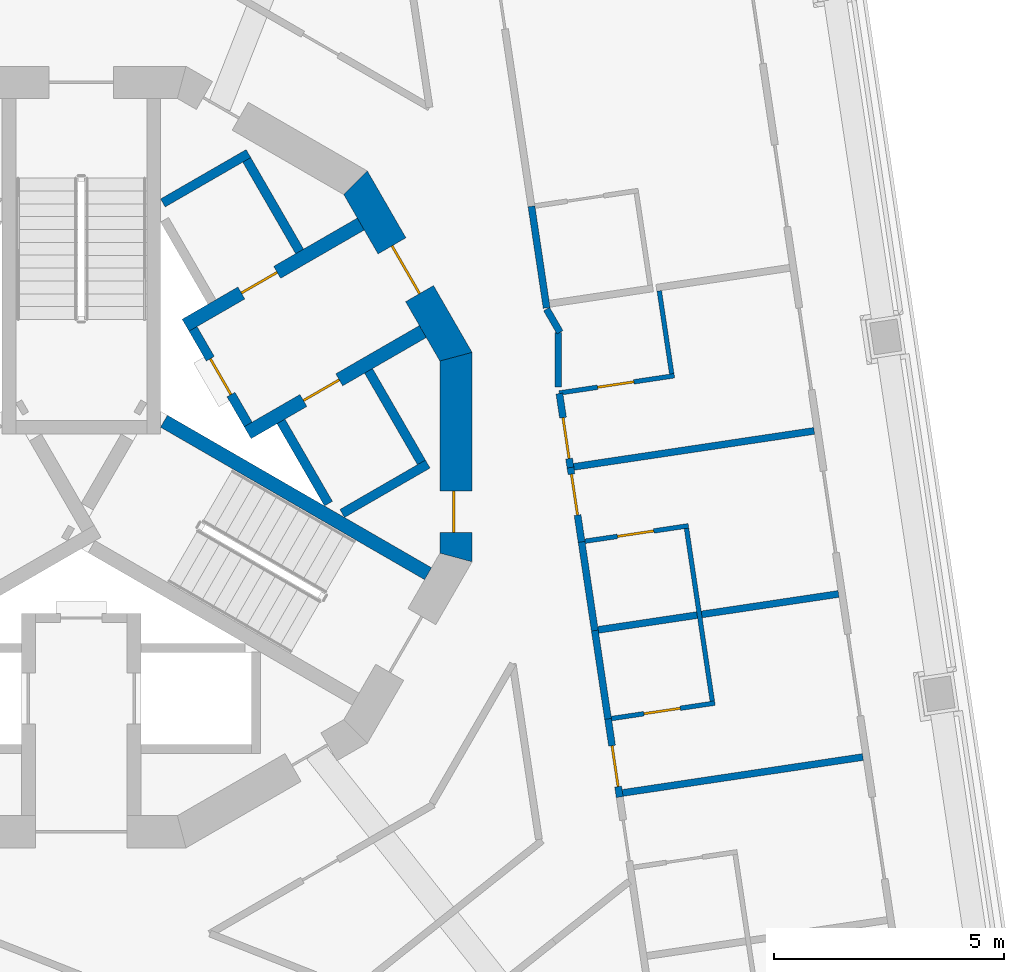
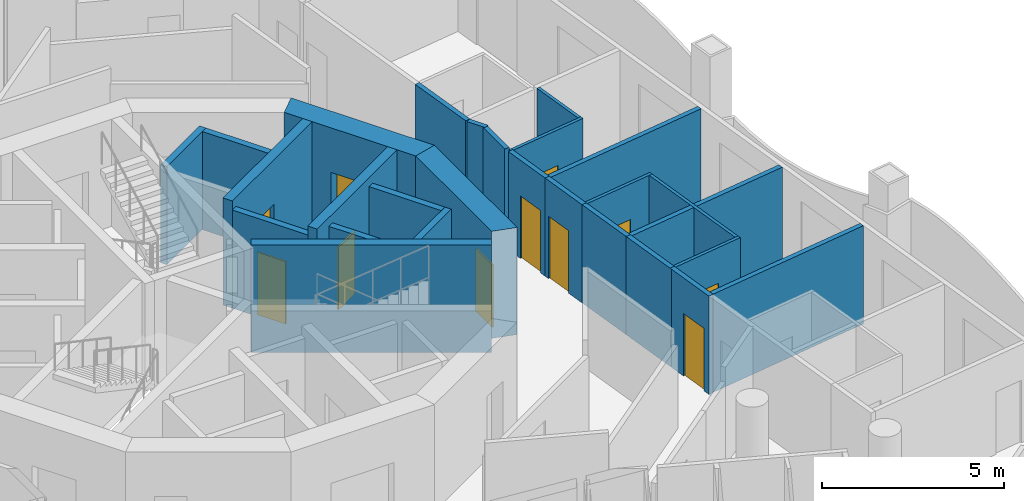
# One storey, part 6 of 16: 27 walls, 11 doors, 11 openings.
"""IFC4 building model written with IfcOpenShell, lengths in metres."""

from ifc_helpers import new_model, si_unit, direction, frame, frame_2d, origin, place, context, subcontext, project, spatial, polyline, rectangle, outline, extrude, material, layer, layer_set, type_object, element, fill, save


model = new_model("IFC4")

# Units and contexts
model_context = context("Model", 3, precision=1e-05, world=origin(), true_north=direction((0.0, 1.0)))
body_context = subcontext(model_context, "Body", "Model", "MODEL_VIEW")
ifc_project = project(units=[si_unit("LENGTHUNIT", "METRE"), si_unit("AREAUNIT", "SQUARE_METRE"), si_unit("VOLUMEUNIT", "CUBIC_METRE"), si_unit("PLANEANGLEUNIT", "RADIAN"), si_unit("MASSUNIT", "GRAM", prefix="KILO")], contexts=[model_context])

# Site, building, storey
site_placement = place(None, origin())
site = spatial("IfcSite", under=ifc_project, at=site_placement, CompositionType="ELEMENT")
building_placement = place(site_placement, origin())
building = spatial("IfcBuilding", under=site, at=building_placement, Name="Trine Commons Tower", CompositionType="ELEMENT")
storey_placement = place(building_placement, frame((0.0, 0.0, 223.199951171875)))
storey = spatial("IfcBuildingStorey", under=building, at=storey_placement, Name="L58", CompositionType="ELEMENT", Elevation=223.199951171875)

# Wall, opening, door
ifc_material_1 = material(Name="Fire-rated gypsum shaft wall system")
ifc_layer_1 = layer(ifc_material_1, 0.199951171875)
ifc_layer_set_1 = layer_set([ifc_layer_1], Name="Fire-rated gypsum shaft wall system")
wall_type_1 = type_object("IfcWallType", Name="Lobby end wall 200 mm, EI 120", PredefinedType="PARTITIONING", material=ifc_layer_set_1)
wall_1_placement = place(storey_placement, frame((83.631103515625, 63.2109375, 0.0), z_axis=(0.0, 0.0, 1.0), x_axis=(-0.50012165622, 0.865955154139, 0.0)))
wall_1 = element("IfcWall", 1, at=wall_1_placement, inside=storey, type_object=wall_type_1, Name="Lobby end wall L58", PredefinedType="PARTITIONING", context=body_context, shape_type="SweptSolid", body=[
    extrude(rectangle(XDim=2.39990234375, YDim=0.199951171875, at=frame_2d((1.199951171875, 0.0))), origin(), (0.0, 0.0, 1.0), 3.300048828125),
])
opening_1_placement = place(wall_1_placement, frame((0.749755859375, 0.0, 0.0)))
opening_1 = element("IfcOpeningElement", 2, at=opening_1_placement, cuts=wall_1, Name="Opening K16.05", PredefinedType="OPENING", context=body_context, shape_type="SweptSolid", body=[
    extrude(rectangle(XDim=0.89990234375, YDim=2.10009765625, at=frame_2d((0.449951171875, 1.050048828125))), frame((0.0, 0.10986328125, 0.0), z_axis=(0.0, -1.0, 0.0), x_axis=(1.0, 0.0, 0.0)), (0.0, 0.0, 1.0), 0.219970703125),
])
ifc_material_2 = material(Name="Steel door leaf, fire-rated", Category="steel")
door_type_1 = type_object("IfcDoorType", Name="Riser access door, single leaf 900 x 2100, FD60", OperationType="SINGLE_SWING_LEFT", PredefinedType="DOOR", material=ifc_material_2)
door_1_placement = place(opening_1_placement, frame((0.89990234375, 0.0, 0.0), z_axis=(0.0, 0.0, 1.0), x_axis=(-1.0, 0.0, 0.0)))
door_1 = element("IfcDoor", 3, at=door_1_placement, inside=storey, type_object=door_type_1, Name="Riser door, Electrical riser L58", OperationType="SINGLE_SWING_LEFT", OverallHeight=2.10009765625, OverallWidth=0.89990234375, PredefinedType="DOOR", context=body_context, shape_type="SweptSolid", body=[
    extrude(rectangle(XDim=0.89990234375, YDim=2.10009765625, at=frame_2d((0.449951171875, 1.050048828125))), frame((0.0, 0.02490234375, 0.0), z_axis=(0.0, -1.0, 0.0), x_axis=(1.0, 0.0, 0.0)), (0.0, 0.0, 1.0), 0.050048828125),
])
fill(opening_1, door_1)

ifc_material_3 = material(Name="Concrete C60/75", Category="concrete")
ifc_layer_2 = layer(ifc_material_3, 0.300048828125)
ifc_layer_set_2 = layer_set([ifc_layer_2], Name="Concrete C60/75")
wall_type_2 = type_object("IfcWallType", Name="RC shear wall 300 mm, C60/75", PredefinedType="SHEAR", material=ifc_layer_set_2)
wall_2_placement = place(storey_placement, frame((82.26904296875, 65.368896484375, 0.0), z_axis=(0.0, 0.0, 1.0), x_axis=(0.866035918664, 0.499981787252, 0.0)))
wall_2 = element("IfcWall", 4, at=wall_2_placement, inside=storey, type_object=wall_type_2, Name="Core cross wall SWC-05 L58", PredefinedType="SHEAR", context=body_context, shape_type="SweptSolid", body=[
    extrude(rectangle(XDim=4.400634765625, YDim=0.300048828125, at=frame_2d((2.2001953125, 0.0))), origin(), (0.0, 0.0, 1.0), 3.60009765625),
])
opening_2_placement = place(wall_2_placement, frame((1.400390625, 0.0, 0.0)))
opening_2 = element("IfcOpeningElement", 5, at=opening_2_placement, cuts=wall_2, Name="Opening K16.10", PredefinedType="OPENING", context=body_context, shape_type="SweptSolid", body=[
    extrude(rectangle(XDim=0.89990234375, YDim=2.10009765625, at=frame_2d((0.449951171875, 1.050048828125))), frame((0.0, 0.159912109375, 0.0), z_axis=(0.0, -1.0, 0.0), x_axis=(1.0, 0.0, 0.0)), (0.0, 0.0, 1.0), 0.320068359375),
])
door_type_2 = type_object("IfcDoorType", Name="Core room door, single leaf 900 x 2100, FD30S", OperationType="SINGLE_SWING_LEFT", PredefinedType="DOOR", material=ifc_material_2)
door_2_placement = place(opening_2_placement, origin())
door_2 = element("IfcDoor", 6, at=door_2_placement, inside=storey, type_object=door_type_2, Name="Door to Pantry L58", OperationType="SINGLE_SWING_LEFT", OverallHeight=2.10009765625, OverallWidth=0.89990234375, PredefinedType="DOOR", context=body_context, shape_type="SweptSolid", body=[
    extrude(rectangle(XDim=0.89990234375, YDim=2.10009765625, at=frame_2d((0.449951171875, 1.050048828125))), frame((0.0, 0.02490234375, 0.0), z_axis=(0.0, -1.0, 0.0), x_axis=(1.0, 0.0, 0.0)), (0.0, 0.0, 1.0), 0.050048828125),
])
fill(opening_2, door_2)

wall_3_placement = place(storey_placement, frame((83.618896484375, 63.031005859375, 0.0), z_axis=(0.0, 0.0, 1.0), x_axis=(0.866059941101, 0.499940174841, 0.0)))
wall_3 = element("IfcWall", 7, at=wall_3_placement, inside=storey, type_object=wall_type_2, Name="Core cross wall SWC-06 L58", PredefinedType="SHEAR", context=body_context, shape_type="SweptSolid", body=[
    extrude(rectangle(XDim=4.400390625, YDim=0.300048828125, at=frame_2d((2.2001953125, 0.0))), origin(), (0.0, 0.0, 1.0), 3.60009765625),
])
opening_3_placement = place(wall_3_placement, frame((1.400390625, 0.0, 0.0)))
opening_3 = element("IfcOpeningElement", 8, at=opening_3_placement, cuts=wall_3, Name="Opening K16.11", PredefinedType="OPENING", context=body_context, shape_type="SweptSolid", body=[
    extrude(rectangle(XDim=0.89990234375, YDim=2.10009765625, at=frame_2d((0.449951171875, 1.050048828125))), frame((0.0, 0.159912109375, 0.0), z_axis=(0.0, -1.0, 0.0), x_axis=(1.0, 0.0, 0.0)), (0.0, 0.0, 1.0), 0.320068359375),
])
door_3_placement = place(opening_3_placement, frame((0.89990234375, 0.0, 0.0), z_axis=(0.0, 0.0, 1.0), x_axis=(-1.0, 0.0, 0.0)))
door_3 = element("IfcDoor", 9, at=door_3_placement, inside=storey, type_object=door_type_2, Name="Door to Comms room L58", OperationType="SINGLE_SWING_LEFT", OverallHeight=2.10009765625, OverallWidth=0.89990234375, PredefinedType="DOOR", context=body_context, shape_type="SweptSolid", body=[
    extrude(rectangle(XDim=0.89990234375, YDim=2.10009765625, at=frame_2d((0.449951171875, 1.050048828125))), frame((0.0, 0.02490234375, 0.0), z_axis=(0.0, -1.0, 0.0), x_axis=(1.0, 0.0, 0.0)), (0.0, 0.0, 1.0), 0.050048828125),
])
fill(opening_3, door_3)

# Wall
wall_4_placement = place(storey_placement, frame((81.800048828125, 63.280029296875, 0.0), z_axis=(0.0, 0.0, 1.0), x_axis=(0.866009627307, -0.500027324665, 0.0)))
element("IfcWall", 10, at=wall_4_placement, inside=storey, type_object=wall_type_2, Name="Core cross wall SWC-18 L58", PredefinedType="SHEAR", context=body_context, shape_type="SweptSolid", body=[
    extrude(rectangle(XDim=6.631591796875, YDim=0.300048828125, at=frame_2d((3.31591796875, 0.0))), origin(), (0.0, 0.0, 1.0), 3.60009765625),
])

# Wall, opening, door
ifc_layer_3 = layer(ifc_material_3, 0.699951171875)
ifc_layer_set_3 = layer_set([ifc_layer_3], Name="Concrete C60/75")
wall_type_3 = type_object("IfcWallType", Name="RC shear wall 700 mm, C60/75", PredefinedType="SHEAR", material=ifc_layer_set_3)
wall_5_placement = place(storey_placement, frame((88.150146484375, 60.222412109375, 0.0), z_axis=(0.0, 0.0, 1.0), x_axis=(0.0, 1.0, 0.0)))
wall_5 = element("IfcWall", 11, at=wall_5_placement, inside=storey, type_object=wall_type_3, Name="Core wall CWF-01 L58", PredefinedType="SHEAR", context=body_context, shape_type="SweptSolid", body=[
    extrude(outline(polyline([(0.0, -0.35009765625), (4.55517578125, -0.35009765625), (4.36767578125, 0.35009765625), (0.1875, 0.35009765625), (0.0, -0.35009765625)])), origin(), (0.0, 0.0, 1.0), 3.60009765625),
])
opening_4_placement = place(wall_5_placement, frame((0.6416015625, 0.0, 0.0)))
opening_4 = element("IfcOpeningElement", 12, at=opening_4_placement, cuts=wall_5, Name="Opening K16.17", PredefinedType="OPENING", context=body_context, shape_type="SweptSolid", body=[
    extrude(rectangle(XDim=0.89990234375, YDim=2.10009765625, at=frame_2d((0.449951171875, 1.050048828125))), frame((0.0, 0.35986328125, 0.0), z_axis=(0.0, -1.0, 0.0), x_axis=(1.0, 0.0, 0.0)), (0.0, 0.0, 1.0), 0.719970703125),
])
door_4_placement = place(opening_4_placement, origin())
door_4 = element("IfcDoor", 13, at=door_4_placement, inside=storey, type_object=door_type_2, Name="Door to Accessible WC L58", OperationType="SINGLE_SWING_LEFT", OverallHeight=2.10009765625, OverallWidth=0.89990234375, PredefinedType="DOOR", context=body_context, shape_type="SweptSolid", body=[
    extrude(rectangle(XDim=0.89990234375, YDim=2.10009765625, at=frame_2d((0.449951171875, 1.050048828125))), frame((0.0, 0.0751953125, 0.0), z_axis=(0.0, -1.0, 0.0), x_axis=(1.0, 0.0, 0.0)), (0.0, 0.0, 1.0), 0.050048828125),
])
fill(opening_4, door_4)

wall_6_placement = place(storey_placement, frame((88.197021484375, 64.6025390625, 0.0), z_axis=(0.0, 0.0, 1.0), x_axis=(-0.499983800959, 0.866034756103, 0.0)))
wall_6 = element("IfcWall", 14, at=wall_6_placement, inside=storey, type_object=wall_type_3, Name="Core wall CWF-02 L58", PredefinedType="SHEAR", context=body_context, shape_type="SweptSolid", body=[
    extrude(outline(polyline([(0.0, -0.35009765625), (4.55517578125, -0.35009765625), (4.36767578125, 0.35009765625), (0.1875, 0.35009765625), (0.0, -0.35009765625)])), origin(), (0.0, 0.0, 1.0), 3.60009765625),
])
opening_5_placement = place(wall_6_placement, frame((1.677490234375, 0.0, 0.0)))
opening_5 = element("IfcOpeningElement", 15, at=opening_5_placement, cuts=wall_6, Name="Opening K16.04", PredefinedType="OPENING", context=body_context, shape_type="SweptSolid", body=[
    extrude(rectangle(XDim=1.199951171875, YDim=2.10009765625, at=frame_2d((0.60009765625, 1.050048828125))), frame((0.0, 0.35986328125, 0.0), z_axis=(0.0, -1.0, 0.0), x_axis=(1.0, 0.0, 0.0)), (0.0, 0.0, 1.0), 0.719970703125),
])
ifc_material_4 = material(Name="Steel door leaves, fire-rated", Category="steel")
door_type_3 = type_object("IfcDoorType", Name="Lobby door, double leaf 1200 x 2100, FD60", OperationType="DOUBLE_DOOR_SINGLE_SWING", PredefinedType="DOOR", material=ifc_material_4)
door_5_placement = place(opening_5_placement, origin())
door_5 = element("IfcDoor", 16, at=door_5_placement, inside=storey, type_object=door_type_3, Name="Lobby door, Core lounge L58", OperationType="DOUBLE_DOOR_SINGLE_SWING", OverallHeight=2.10009765625, OverallWidth=1.199951171875, PredefinedType="DOOR", context=body_context, shape_type="SweptSolid", body=[
    extrude(rectangle(XDim=1.199951171875, YDim=2.10009765625, at=frame_2d((0.60009765625, 1.050048828125))), frame((0.0, 0.02490234375, 0.0), z_axis=(0.0, -1.0, 0.0), x_axis=(1.0, 0.0, 0.0)), (0.0, 0.0, 1.0), 0.050048828125),
])
fill(opening_5, door_5)

# Walls
ifc_layer_4 = layer(ifc_material_1, 0.199951171875)
ifc_layer_set_4 = layer_set([ifc_layer_4], Name="Fire-rated gypsum shaft wall system")
wall_type_4 = type_object("IfcWallType", Name="Shaft wall 200 mm, EI 120", PredefinedType="PARTITIONING", material=ifc_layer_set_4)
wall_7_placement = place(storey_placement, frame((81.77490234375, 68.028076171875, 0.0), z_axis=(0.0, 0.0, 1.0), x_axis=(0.866130725101, 0.499817533742, 0.0)))
element("IfcWall", 17, at=wall_7_placement, inside=storey, type_object=wall_type_4, Name="Shaft wall L58", PredefinedType="PARTITIONING", context=body_context, shape_type="SweptSolid", body=[
    extrude(rectangle(XDim=2.148681640625, YDim=0.199951171875, at=frame_2d((1.07421875, 0.0))), origin(), (0.0, 0.0, 1.0), 3.300048828125),
])
wall_8_placement = place(storey_placement, frame((84.343994140625, 63.27587890625, 0.0), z_axis=(0.0, 0.0, 1.0), x_axis=(0.500271688072, -0.86586848777, 0.0)))
element("IfcWall", 18, at=wall_8_placement, inside=storey, type_object=wall_type_4, Name="Shaft wall L58", PredefinedType="PARTITIONING", context=body_context, shape_type="SweptSolid", body=[
    extrude(rectangle(XDim=2.064697265625, YDim=0.199951171875, at=frame_2d((1.0322265625, 0.0))), origin(), (0.0, 0.0, 1.0), 3.300048828125),
])
wall_9_placement = place(storey_placement, frame((84.7490234375, 66.97412109375, 0.0), z_axis=(0.0, 0.0, 1.0), x_axis=(-0.500136062276, 0.86594683394, 0.0)))
element("IfcWall", 19, at=wall_9_placement, inside=storey, type_object=wall_type_4, Name="Shaft wall L58", PredefinedType="PARTITIONING", context=body_context, shape_type="SweptSolid", body=[
    extrude(rectangle(XDim=2.299072265625, YDim=0.199951171875, at=frame_2d((1.1494140625, 0.0))), origin(), (0.0, 0.0, 1.0), 3.300048828125),
])
wall_10_placement = place(storey_placement, frame((85.675048828125, 61.27392578125, 0.0), z_axis=(0.0, 0.0, 1.0), x_axis=(0.866102336459, 0.499866725018, 0.0)))
element("IfcWall", 20, at=wall_10_placement, inside=storey, type_object=wall_type_4, Name="Shaft wall L58", PredefinedType="PARTITIONING", context=body_context, shape_type="SweptSolid", body=[
    extrude(rectangle(XDim=2.1484375, YDim=0.199951171875, at=frame_2d((1.07421875, 0.0))), origin(), (0.0, 0.0, 1.0), 3.300048828125),
])
wall_11_placement = place(storey_placement, frame((86.2490234375, 64.3759765625, 0.0), z_axis=(0.0, 0.0, 1.0), x_axis=(0.500136062276, -0.86594683394, 0.0)))
element("IfcWall", 21, at=wall_11_placement, inside=storey, type_object=wall_type_4, Name="Shaft wall L58", PredefinedType="PARTITIONING", context=body_context, shape_type="SweptSolid", body=[
    extrude(rectangle(XDim=2.299072265625, YDim=0.199951171875, at=frame_2d((1.1494140625, 0.0))), origin(), (0.0, 0.0, 1.0), 3.300048828125),
])
ifc_material_5 = material(Name="Gypsum plasterboard on steel stud", Category="steel")
ifc_layer_5 = layer(ifc_material_5, 0.14990234375)
ifc_layer_set_5 = layer_set([ifc_layer_5], Name="Gypsum plasterboard on steel stud")
wall_type_5 = type_object("IfcWallType", Name="Unit and corridor wall 150 mm, EI 60", PredefinedType="PARTITIONING", material=ifc_layer_set_5)
wall_12_placement = place(storey_placement, frame((89.7919921875, 67.9541015625, 0.0), z_axis=(0.0, 0.0, 1.0), x_axis=(0.147832480438, -0.989012415356, 0.0)))
element("IfcWall", 22, at=wall_12_placement, inside=storey, type_object=wall_type_5, Name="Partition 096", PredefinedType="PARTITIONING", context=body_context, shape_type="SweptSolid", body=[
    extrude(rectangle(XDim=2.232666015625, YDim=0.14990234375, at=frame_2d((1.1162109375, 0.0))), origin(), (0.0, 0.0, 1.0), 3.300048828125),
])
wall_13_placement = place(storey_placement, frame((90.12109375, 65.718994140625, 0.0), z_axis=(0.0, 0.0, 1.0), x_axis=(0.500738673164, -0.865598510395, 0.0)))
element("IfcWall", 23, at=wall_13_placement, inside=storey, type_object=wall_type_5, Name="Partition 098", PredefinedType="PARTITIONING", context=body_context, shape_type="SweptSolid", body=[
    extrude(rectangle(XDim=0.58203125, YDim=0.14990234375, at=frame_2d((0.291015625, 0.0))), origin(), (0.0, 0.0, 1.0), 3.300048828125),
])
wall_14_placement = place(storey_placement, frame((90.375, 64.02294921875, 0.0), z_axis=(0.0, 0.0, 1.0), x_axis=(0.0, 1.0, 0.0)))
element("IfcWall", 24, at=wall_14_placement, inside=storey, type_object=wall_type_5, Name="Partition 100", PredefinedType="PARTITIONING", context=body_context, shape_type="SweptSolid", body=[
    extrude(rectangle(XDim=1.18212890625, YDim=0.14990234375, at=frame_2d((0.591064453125, 0.0))), origin(), (0.0, 0.0, 1.0), 3.300048828125),
])

# Wall, opening, door
wall_15_placement = place(storey_placement, frame((90.39990234375, 63.882080078125, 0.0), z_axis=(0.0, 0.0, 1.0), x_axis=(0.147511205878, -0.989060384476, 0.0)))
wall_15 = element("IfcWall", 25, at=wall_15_placement, inside=storey, type_object=wall_type_5, Name="Partition 102", PredefinedType="PARTITIONING", context=body_context, shape_type="SweptSolid", body=[
    extrude(rectangle(XDim=1.626953125, YDim=0.14990234375, at=frame_2d((0.8134765625, 0.0))), origin(), (0.0, 0.0, 1.0), 3.300048828125),
])
opening_6_placement = place(wall_15_placement, frame((0.530517578125, 0.0, 0.0)))
opening_6 = element("IfcOpeningElement", 26, at=opening_6_placement, cuts=wall_15, Name="Opening D-6C15", PredefinedType="OPENING", context=body_context, shape_type="SweptSolid", body=[
    extrude(rectangle(XDim=0.89990234375, YDim=2.10009765625, at=frame_2d((0.449951171875, 1.050048828125))), frame((0.0, 0.0849609375, 0.0), z_axis=(0.0, -1.0, 0.0), x_axis=(1.0, 0.0, 0.0)), (0.0, 0.0, 1.0), 0.169921875),
])
ifc_material_6 = material(Name="Timber fire door set", Category="wood")
door_type_4 = type_object("IfcDoorType", Name="Bedroom door 900 x 2100, FD30S", OperationType="NOTDEFINED", PredefinedType="DOOR", material=ifc_material_6)
door_6_placement = place(opening_6_placement, origin())
door_6 = element("IfcDoor", 27, at=door_6_placement, inside=storey, type_object=door_type_4, Name="Door D-6C15", OperationType="SINGLE_SWING_RIGHT", OverallHeight=2.10009765625, OverallWidth=0.89990234375, PredefinedType="DOOR", context=body_context, shape_type="SweptSolid", body=[
    extrude(rectangle(XDim=0.89990234375, YDim=2.10009765625, at=frame_2d((0.449951171875, 1.050048828125))), frame((0.0, 0.02490234375, 0.0), z_axis=(0.0, -1.0, 0.0), x_axis=(1.0, 0.0, 0.0)), (0.0, 0.0, 1.0), 0.050048828125),
])
fill(opening_6, door_6)

wall_16_placement = place(storey_placement, frame((90.6279296875, 62.355224609375, 0.0), z_axis=(0.0, 0.0, 1.0), x_axis=(0.147840420569, -0.989011228473, 0.0)))
wall_16 = element("IfcWall", 28, at=wall_16_placement, inside=storey, type_object=wall_type_5, Name="Partition 104", PredefinedType="PARTITIONING", context=body_context, shape_type="SweptSolid", body=[
    extrude(rectangle(XDim=1.718994140625, YDim=0.14990234375, at=frame_2d((0.859375, 0.0))), origin(), (0.0, 0.0, 1.0), 3.300048828125),
])
opening_7_placement = place(wall_16_placement, frame((0.22900390625, 0.0, 0.0)))
opening_7 = element("IfcOpeningElement", 29, at=opening_7_placement, cuts=wall_16, Name="Opening D-6C16", PredefinedType="OPENING", context=body_context, shape_type="SweptSolid", body=[
    extrude(rectangle(XDim=0.89990234375, YDim=2.10009765625, at=frame_2d((0.449951171875, 1.050048828125))), frame((0.0, 0.0849609375, 0.0), z_axis=(0.0, -1.0, 0.0), x_axis=(1.0, 0.0, 0.0)), (0.0, 0.0, 1.0), 0.169921875),
])
door_7_placement = place(opening_7_placement, origin())
door_7 = element("IfcDoor", 30, at=door_7_placement, inside=storey, type_object=door_type_4, Name="Door D-6C16", OperationType="SINGLE_SWING_LEFT", OverallHeight=2.10009765625, OverallWidth=0.89990234375, PredefinedType="DOOR", context=body_context, shape_type="SweptSolid", body=[
    extrude(rectangle(XDim=0.89990234375, YDim=2.10009765625, at=frame_2d((0.449951171875, 1.050048828125))), frame((0.0, 0.02490234375, 0.0), z_axis=(0.0, -1.0, 0.0), x_axis=(1.0, 0.0, 0.0)), (0.0, 0.0, 1.0), 0.050048828125),
])
fill(opening_7, door_7)

# Walls
wall_17_placement = place(storey_placement, frame((90.714111328125, 62.2880859375, 0.0), z_axis=(0.0, 0.0, 1.0), x_axis=(0.988994889639, 0.147949681543, 0.0)))
element("IfcWall", 31, at=wall_17_placement, inside=storey, type_object=wall_type_5, Name="Partition 105", PredefinedType="PARTITIONING", context=body_context, shape_type="SweptSolid", body=[
    extrude(rectangle(XDim=5.285400390625, YDim=0.14990234375, at=frame_2d((2.642578125, 0.0))), origin(), (0.0, 0.0, 1.0), 3.300048828125),
])
wall_18_placement = place(storey_placement, frame((90.881103515625, 60.6630859375, 0.0), z_axis=(0.0, 0.0, 1.0), x_axis=(0.147547543847, -0.989054964249, 0.0)))
element("IfcWall", 32, at=wall_18_placement, inside=storey, type_object=wall_type_5, Name="Partition 106", PredefinedType="PARTITIONING", context=body_context, shape_type="SweptSolid", body=[
    extrude(rectangle(XDim=1.95751953125, YDim=0.14990234375, at=frame_2d((0.978759765625, 0.0))), origin(), (0.0, 0.0, 1.0), 3.300048828125),
])
wall_19_placement = place(storey_placement, frame((91.1689453125, 58.735107421875, 0.0), z_axis=(0.0, 0.0, 1.0), x_axis=(0.148037335564, -0.988981772976, 0.0)))
element("IfcWall", 33, at=wall_19_placement, inside=storey, type_object=wall_type_5, Name="Partition 108", PredefinedType="PARTITIONING", context=body_context, shape_type="SweptSolid", body=[
    extrude(rectangle(XDim=2.0087890625, YDim=0.14990234375, at=frame_2d((1.00439453125, 0.0))), origin(), (0.0, 0.0, 1.0), 3.300048828125),
])
wall_20_placement = place(storey_placement, frame((91.244140625, 58.7421875, 0.0), z_axis=(0.0, 0.0, 1.0), x_axis=(0.98902190879, 0.147768954566, 0.0)))
element("IfcWall", 34, at=wall_20_placement, inside=storey, type_object=wall_type_5, Name="Partition 109", PredefinedType="PARTITIONING", context=body_context, shape_type="SweptSolid", body=[
    extrude(rectangle(XDim=5.285400390625, YDim=0.14990234375, at=frame_2d((2.642578125, 0.0))), origin(), (0.0, 0.0, 1.0), 3.300048828125),
])

# Wall, opening, door
wall_21_placement = place(storey_placement, frame((91.4580078125, 56.805908203125, 0.0), z_axis=(0.0, 0.0, 1.0), x_axis=(0.147145743131, -0.989114821585, 0.0)))
wall_21 = element("IfcWall", 35, at=wall_21_placement, inside=storey, type_object=wall_type_5, Name="Partition 111", PredefinedType="PARTITIONING", context=body_context, shape_type="SweptSolid", body=[
    extrude(rectangle(XDim=1.718994140625, YDim=0.14990234375, at=frame_2d((0.859375, 0.0))), origin(), (0.0, 0.0, 1.0), 3.300048828125),
])
opening_8_placement = place(wall_21_placement, frame((0.58984375, 0.0, 0.0)))
opening_8 = element("IfcOpeningElement", 36, at=opening_8_placement, cuts=wall_21, Name="Opening D-6C17", PredefinedType="OPENING", context=body_context, shape_type="SweptSolid", body=[
    extrude(rectangle(XDim=0.89990234375, YDim=2.10009765625, at=frame_2d((0.449951171875, 1.050048828125))), frame((0.0, 0.0849609375, 0.0), z_axis=(0.0, -1.0, 0.0), x_axis=(1.0, 0.0, 0.0)), (0.0, 0.0, 1.0), 0.169921875),
])
door_8_placement = place(opening_8_placement, origin())
door_8 = element("IfcDoor", 37, at=door_8_placement, inside=storey, type_object=door_type_4, Name="Door D-6C17", OperationType="SINGLE_SWING_RIGHT", OverallHeight=2.10009765625, OverallWidth=0.89990234375, PredefinedType="DOOR", context=body_context, shape_type="SweptSolid", body=[
    extrude(rectangle(XDim=0.89990234375, YDim=2.10009765625, at=frame_2d((0.449951171875, 1.050048828125))), frame((0.0, 0.02490234375, 0.0), z_axis=(0.0, -1.0, 0.0), x_axis=(1.0, 0.0, 0.0)), (0.0, 0.0, 1.0), 0.050048828125),
])
fill(opening_8, door_8)

# Wall
wall_22_placement = place(storey_placement, frame((91.774169921875, 55.195068359375, 0.0), z_axis=(0.0, 0.0, 1.0), x_axis=(0.98902190879, 0.147768954566, 0.0)))
element("IfcWall", 38, at=wall_22_placement, inside=storey, type_object=wall_type_5, Name="Partition 113", PredefinedType="PARTITIONING", context=body_context, shape_type="SweptSolid", body=[
    extrude(rectangle(XDim=5.285400390625, YDim=0.14990234375, at=frame_2d((2.642578125, 0.0))), origin(), (0.0, 0.0, 1.0), 3.300048828125),
])

# Wall, opening, door
ifc_layer_6 = layer(ifc_material_5, 0.10009765625)
ifc_layer_set_6 = layer_set([ifc_layer_6], Name="Gypsum plasterboard on steel stud")
wall_type_6 = type_object("IfcWallType", Name="Unit partition 100 mm, no rating", PredefinedType="PARTITIONING", material=ifc_layer_set_6)
wall_23_placement = place(storey_placement, frame((90.39794921875, 63.89501953125, 0.0), z_axis=(0.0, 0.0, 1.0), x_axis=(0.988991508707, 0.147972280192, 0.0)))
wall_23 = element("IfcWall", 39, at=wall_23_placement, inside=storey, type_object=wall_type_6, Name="Partition 101", PredefinedType="PARTITIONING", context=body_context, shape_type="SweptSolid", body=[
    extrude(rectangle(XDim=2.529296875, YDim=0.10009765625, at=frame_2d((1.2646484375, 0.0))), origin(), (0.0, 0.0, 1.0), 3.300048828125),
])
opening_9_placement = place(wall_23_placement, frame((0.839599609375, 0.0, 0.0)))
opening_9 = element("IfcOpeningElement", 40, at=opening_9_placement, cuts=wall_23, Name="Opening D-6C38", PredefinedType="OPENING", context=body_context, shape_type="SweptSolid", body=[
    extrude(rectangle(XDim=0.800048828125, YDim=2.10009765625, at=frame_2d((0.39990234375, 1.050048828125))), frame((0.0, 0.06005859375, 0.0), z_axis=(0.0, -1.0, 0.0), x_axis=(1.0, 0.0, 0.0)), (0.0, 0.0, 1.0), 0.1201171875),
])
ifc_material_7 = material(Name="Painted timber", Category="wood")
door_type_5 = type_object("IfcDoorType", Name="Internal door 800 x 2100, NOT RATED", OperationType="NOTDEFINED", PredefinedType="DOOR", material=ifc_material_7)
door_9_placement = place(opening_9_placement, frame((0.800048828125, 0.0, 0.0), z_axis=(0.0, 0.0, 1.0), x_axis=(-1.0, 0.0, 0.0)))
door_9 = element("IfcDoor", 41, at=door_9_placement, inside=storey, type_object=door_type_5, Name="Door D-6C38", OperationType="SINGLE_SWING_RIGHT", OverallHeight=2.10009765625, OverallWidth=0.800048828125, PredefinedType="DOOR", context=body_context, shape_type="SweptSolid", body=[
    extrude(rectangle(XDim=0.800048828125, YDim=2.10009765625, at=frame_2d((0.39990234375, 1.050048828125))), frame((0.0, 0.02490234375, 0.0), z_axis=(0.0, -1.0, 0.0), x_axis=(1.0, 0.0, 0.0)), (0.0, 0.0, 1.0), 0.050048828125),
])
fill(opening_9, door_9)

wall_24_placement = place(storey_placement, frame((90.956298828125, 60.670166015625, 0.0), z_axis=(0.0, 0.0, 1.0), x_axis=(0.989023546454, 0.147757993216, 0.0)))
wall_24 = element("IfcWall", 42, at=wall_24_placement, inside=storey, type_object=wall_type_6, Name="Partition 107", PredefinedType="PARTITIONING", context=body_context, shape_type="SweptSolid", body=[
    extrude(rectangle(XDim=2.275146484375, YDim=0.10009765625, at=frame_2d((1.1376953125, 0.0))), origin(), (0.0, 0.0, 1.0), 3.300048828125),
])
opening_10_placement = place(wall_24_placement, frame((0.712646484375, 0.0, 0.0)))
opening_10 = element("IfcOpeningElement", 43, at=opening_10_placement, cuts=wall_24, Name="Opening D-6C39", PredefinedType="OPENING", context=body_context, shape_type="SweptSolid", body=[
    extrude(rectangle(XDim=0.800048828125, YDim=2.10009765625, at=frame_2d((0.39990234375, 1.050048828125))), frame((0.0, 0.06005859375, 0.0), z_axis=(0.0, -1.0, 0.0), x_axis=(1.0, 0.0, 0.0)), (0.0, 0.0, 1.0), 0.1201171875),
])
door_10_placement = place(opening_10_placement, origin())
door_10 = element("IfcDoor", 44, at=door_10_placement, inside=storey, type_object=door_type_5, Name="Door D-6C39", OperationType="SINGLE_SWING_LEFT", OverallHeight=2.10009765625, OverallWidth=0.800048828125, PredefinedType="DOOR", context=body_context, shape_type="SweptSolid", body=[
    extrude(rectangle(XDim=0.800048828125, YDim=2.10009765625, at=frame_2d((0.39990234375, 1.050048828125))), frame((0.0, 0.02490234375, 0.0), z_axis=(0.0, -1.0, 0.0), x_axis=(1.0, 0.0, 0.0)), (0.0, 0.0, 1.0), 0.050048828125),
])
fill(opening_10, door_10)

wall_25_placement = place(storey_placement, frame((91.5322265625, 56.81298828125, 0.0), z_axis=(0.0, 0.0, 1.0), x_axis=(0.989007860101, 0.147862952286, 0.0)))
wall_25 = element("IfcWall", 45, at=wall_25_placement, inside=storey, type_object=wall_type_6, Name="Partition 110", PredefinedType="PARTITIONING", context=body_context, shape_type="SweptSolid", body=[
    extrude(rectangle(XDim=2.275146484375, YDim=0.10009765625, at=frame_2d((1.1376953125, 0.0))), origin(), (0.0, 0.0, 1.0), 3.300048828125),
])
opening_11_placement = place(wall_25_placement, frame((0.712646484375, 0.0, 0.0)))
opening_11 = element("IfcOpeningElement", 46, at=opening_11_placement, cuts=wall_25, Name="Opening D-6C40", PredefinedType="OPENING", context=body_context, shape_type="SweptSolid", body=[
    extrude(rectangle(XDim=0.800048828125, YDim=2.10009765625, at=frame_2d((0.39990234375, 1.050048828125))), frame((0.0, 0.06005859375, 0.0), z_axis=(0.0, -1.0, 0.0), x_axis=(1.0, 0.0, 0.0)), (0.0, 0.0, 1.0), 0.1201171875),
])
door_11_placement = place(opening_11_placement, frame((0.800048828125, 0.0, 0.0), z_axis=(0.0, 0.0, 1.0), x_axis=(-1.0, 0.0, 0.0)))
door_11 = element("IfcDoor", 47, at=door_11_placement, inside=storey, type_object=door_type_5, Name="Door D-6C40", OperationType="SINGLE_SWING_RIGHT", OverallHeight=2.10009765625, OverallWidth=0.800048828125, PredefinedType="DOOR", context=body_context, shape_type="SweptSolid", body=[
    extrude(rectangle(XDim=0.800048828125, YDim=2.10009765625, at=frame_2d((0.39990234375, 1.050048828125))), frame((0.0, 0.02490234375, 0.0), z_axis=(0.0, -1.0, 0.0), x_axis=(1.0, 0.0, 0.0)), (0.0, 0.0, 1.0), 0.050048828125),
])
fill(opening_11, door_11)

# Walls
wall_26_placement = place(storey_placement, frame((92.572998046875, 66.11572265625, 0.0), z_axis=(0.0, 0.0, 1.0), x_axis=(0.147751431332, -0.989024526763, 0.0)))
element("IfcWall", 48, at=wall_26_placement, inside=storey, type_object=wall_type_6, Name="Partition 120", PredefinedType="PARTITIONING", context=body_context, shape_type="SweptSolid", body=[
    extrude(rectangle(XDim=1.82421875, YDim=0.10009765625, at=frame_2d((0.912109375, 0.0))), origin(), (0.0, 0.0, 1.0), 3.300048828125),
])
wall_27_placement = place(storey_placement, frame((93.164306640625, 60.949462890625, 0.0), z_axis=(0.0, 0.0, 1.0), x_axis=(0.147715184464, -0.989029941043, 0.0)))
element("IfcWall", 49, at=wall_27_placement, inside=storey, type_object=wall_type_6, Name="Partition 122", PredefinedType="PARTITIONING", context=body_context, shape_type="SweptSolid", body=[
    extrude(rectangle(XDim=3.7998046875, YDim=0.10009765625, at=frame_2d((1.89990234375, 0.0))), origin(), (0.0, 0.0, 1.0), 3.300048828125),
])

save(model, "model.ifc")
